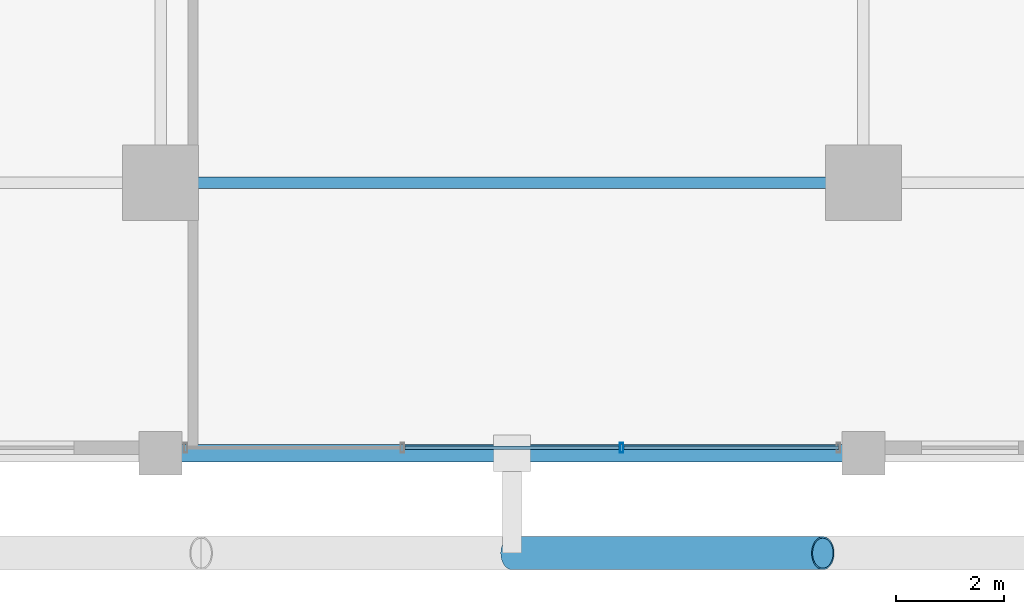
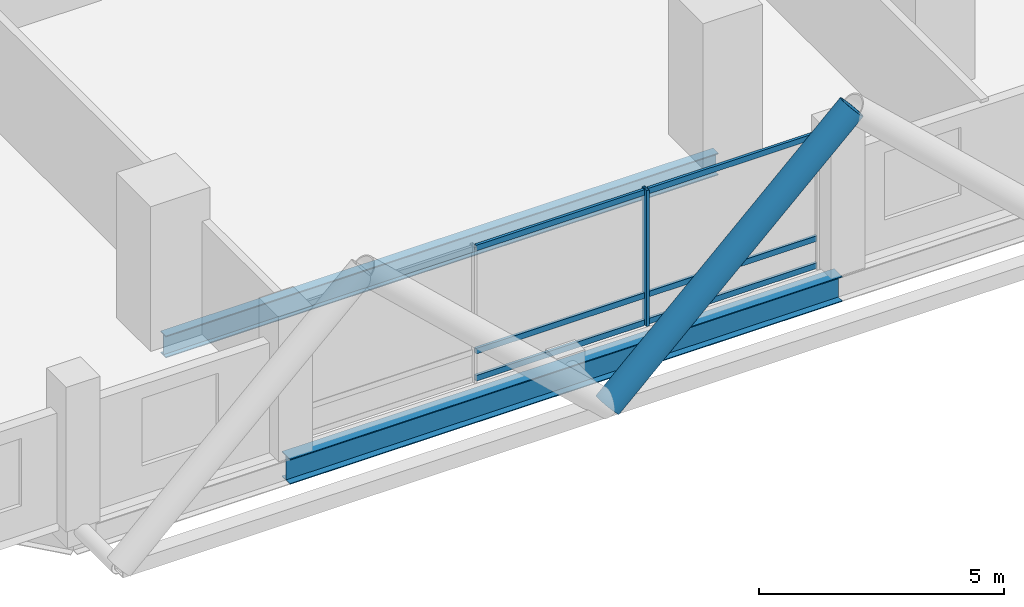
# One storey, part 3 of 27: 8 members, 2 beams, 1 element without a shape of its own.
"""IFC4 building model written with IfcOpenShell, lengths in metres."""

from ifc_helpers import new_model, si_unit, direction, frame, origin, origin_2d, place, context, subcontext, project, spatial, hollow_rectangle, hollow_circle, i_section, extrude, material, layer, layer_set, material_profile, profile_set, type_object, element, aggregate, save


model = new_model("IFC4")

# Units and contexts
model_context = context("Model", 3, precision=1e-05, world=origin(), true_north=direction((0.0, 1.0)))
body_context = subcontext(model_context, "Body", "Model", "MODEL_VIEW")
ifc_project = project(units=[si_unit("LENGTHUNIT", "METRE"), si_unit("AREAUNIT", "SQUARE_METRE"), si_unit("VOLUMEUNIT", "CUBIC_METRE"), si_unit("PLANEANGLEUNIT", "RADIAN"), si_unit("MASSUNIT", "GRAM", prefix="KILO")], contexts=[model_context])

# Site, building, storey
site_placement = place(None, origin())
site = spatial("IfcSite", under=ifc_project, at=site_placement, CompositionType="ELEMENT")
building_placement = place(site_placement, origin())
building = spatial("IfcBuilding", under=site, at=building_placement, Name="Barlavira Tower and Art Museum", CompositionType="ELEMENT")
storey_placement = place(building_placement, frame((0.0, 0.0, 61.199951171875)))
storey = spatial("IfcBuildingStorey", under=building, at=storey_placement, Name="L14", CompositionType="ELEMENT", Elevation=61.199951171875)

# Curtain wall, members
ifc_material_1 = material(Name="Low-iron coastal laminated glass", Category="glass")
ifc_layer = layer(ifc_material_1, 0.179931640625, Name="Low-iron coastal laminated glass")
ifc_layer_set = layer_set([ifc_layer], Name="Low-iron coastal laminated glass")
curtain_wall_type = type_object("IfcCurtainWallType", Name="Pale-Metal Unitised Curtain Wall Zone 1", PredefinedType="NOTDEFINED", material=ifc_layer_set)
curtain_wall_placement = place(storey_placement, origin())
curtain_wall = element("IfcCurtainWall", 1, at=curtain_wall_placement, inside=storey, type_object=curtain_wall_type, Name="L14 Curtain Wall CW1-L14-S-B3", PredefinedType="NOTDEFINED")
ifc_material_2 = material(Name="Pale anodised aluminium", Category="aluminium")
ifc_material_profile_1 = material_profile(ifc_material_2, hollow_rectangle(XDim=0.06494140625, YDim=0.179931640625, WallThickness=0.00390625, at=origin_2d()), Name="ALU-MULL 65x180x4")
ifc_profile_set_1 = profile_set([ifc_material_profile_1], Name="Pale anodised aluminium")
member_type_1 = type_object("IfcMemberType", Name="Curtain Wall Pale-Metal Mullion 65x180", PredefinedType="MULLION", material=ifc_profile_set_1)
member_1_placement = place(storey_placement, frame((2.026611328125, -24.89990234375, 0.0), z_axis=(0.0, 0.0, 1.0), x_axis=(1.0, 0.0, 0.0)))
member_1 = element("IfcMember", 2, at=member_1_placement, type_object=member_type_1, Name="CW1-L14-S-B3 Mullion 2", PredefinedType="MULLION", context=body_context, shape_type="SweptSolid", body=[
    extrude(hollow_rectangle(XDim=0.06494140625, YDim=0.179931640625, WallThickness=0.00390625, at=origin_2d()), origin(), (0.0, 0.0, 1.0), 3.380126953125),
])
ifc_material_profile_2 = material_profile(ifc_material_2, hollow_rectangle(XDim=0.06494140625, YDim=0.139892578125, WallThickness=0.00390625, at=origin_2d()), Name="ALU-TRAN 65x140x4")
ifc_profile_set_2 = profile_set([ifc_material_profile_2], Name="Pale anodised aluminium")
member_type_2 = type_object("IfcMemberType", Name="Curtain Wall Pale-Metal Transom 65x140", PredefinedType="USERDEFINED", material=ifc_profile_set_2)
member_2_placement = place(storey_placement, frame((-1.981689453125, -24.89990234375, 0.070068359375), z_axis=(1.0, 0.0, 0.0), x_axis=(0.0, 1.0, 0.0)))
member_2 = element("IfcMember", 3, at=member_2_placement, type_object=member_type_2, Name="CW1-L14-S-B3 Transom 1.1", ObjectType="TRANSOM", PredefinedType="USERDEFINED", context=body_context, shape_type="SweptSolid", body=[
    extrude(hollow_rectangle(XDim=0.06494140625, YDim=0.139892578125, WallThickness=0.00390625, at=origin_2d()), origin(), (0.0, 0.0, 1.0), 3.96337890625),
])
member_3_placement = place(storey_placement, frame((-1.981689453125, -24.89990234375, 0.744140625), z_axis=(1.0, 0.0, 0.0), x_axis=(0.0, 1.0, 0.0)))
member_3 = element("IfcMember", 4, at=member_3_placement, type_object=member_type_2, Name="CW1-L14-S-B3 Transom 1.2", ObjectType="TRANSOM", PredefinedType="USERDEFINED", context=body_context, shape_type="SweptSolid", body=[
    extrude(hollow_rectangle(XDim=0.06494140625, YDim=0.139892578125, WallThickness=0.00390625, at=origin_2d()), origin(), (0.0, 0.0, 1.0), 3.96337890625),
])
member_4_placement = place(storey_placement, frame((-1.981689453125, -24.89990234375, 3.31005859375), z_axis=(1.0, 0.0, 0.0), x_axis=(0.0, 1.0, 0.0)))
member_4 = element("IfcMember", 5, at=member_4_placement, type_object=member_type_2, Name="CW1-L14-S-B3 Transom 1.3", ObjectType="TRANSOM", PredefinedType="USERDEFINED", context=body_context, shape_type="SweptSolid", body=[
    extrude(hollow_rectangle(XDim=0.06494140625, YDim=0.139892578125, WallThickness=0.00390625, at=origin_2d()), origin(), (0.0, 0.0, 1.0), 3.96337890625),
])
member_5_placement = place(storey_placement, frame((2.07177734375, -24.89990234375, 0.070068359375), z_axis=(1.0, 0.0, 0.0), x_axis=(0.0, 1.0, 0.0)))
member_5 = element("IfcMember", 6, at=member_5_placement, type_object=member_type_2, Name="CW1-L14-S-B3 Transom 2.1", ObjectType="TRANSOM", PredefinedType="USERDEFINED", context=body_context, shape_type="SweptSolid", body=[
    extrude(hollow_rectangle(XDim=0.06494140625, YDim=0.139892578125, WallThickness=0.00390625, at=origin_2d()), origin(), (0.0, 0.0, 1.0), 3.963134765625),
])
member_6_placement = place(storey_placement, frame((2.07177734375, -24.89990234375, 0.744140625), z_axis=(1.0, 0.0, 0.0), x_axis=(0.0, 1.0, 0.0)))
member_6 = element("IfcMember", 7, at=member_6_placement, type_object=member_type_2, Name="CW1-L14-S-B3 Transom 2.2", ObjectType="TRANSOM", PredefinedType="USERDEFINED", context=body_context, shape_type="SweptSolid", body=[
    extrude(hollow_rectangle(XDim=0.06494140625, YDim=0.139892578125, WallThickness=0.00390625, at=origin_2d()), origin(), (0.0, 0.0, 1.0), 3.963134765625),
])
member_7_placement = place(storey_placement, frame((2.07177734375, -24.89990234375, 3.31005859375), z_axis=(1.0, 0.0, 0.0), x_axis=(0.0, 1.0, 0.0)))
member_7 = element("IfcMember", 8, at=member_7_placement, type_object=member_type_2, Name="CW1-L14-S-B3 Transom 2.3", ObjectType="TRANSOM", PredefinedType="USERDEFINED", context=body_context, shape_type="SweptSolid", body=[
    extrude(hollow_rectangle(XDim=0.06494140625, YDim=0.139892578125, WallThickness=0.00390625, at=origin_2d()), origin(), (0.0, 0.0, 1.0), 3.963134765625),
])
aggregate(curtain_wall, [member_1, member_2, member_3, member_4, member_5, member_6, member_7])

# Member
ifc_material_3 = material(Name="Steel S355", Category="steel")
ifc_material_profile_3 = material_profile(ifc_material_3, hollow_circle(Radius=0.304931640625, WallThickness=0.028076171875, at=origin_2d()), Name="CHS 610.0x28.0")
ifc_profile_set_3 = profile_set([ifc_material_profile_3], Name="Steel S355")
member_type_3 = type_object("IfcMemberType", Name="Pale-Metal Exoskeleton Diagrid Tube CHS 610x28 Steel S355", PredefinedType="BRACE", material=ifc_profile_set_3)
member_8_placement = place(storey_placement, frame((0.0, -26.85009765625, -0.119873046875), z_axis=(0.728950095515, 0.0, 0.684566839869), x_axis=(0.0, 1.0, 0.0)))
element("IfcMember", 9, at=member_8_placement, inside=storey, type_object=member_type_3, Name="L14 Exoskeleton Diagrid Tube S", PredefinedType="BRACE", context=body_context, shape_type="SweptSolid", body=[
    extrude(hollow_circle(Radius=0.304931640625, WallThickness=0.028076171875, at=origin_2d()), origin(), (0.0, 0.0, 1.0), 7.887939453125),
])

# Beams
ifc_material_profile_4 = material_profile(ifc_material_3, i_section(OverallWidth=0.327880859375, OverallDepth=0.62890625, WebThickness=0.013916015625, FlangeThickness=0.021484375, at=origin_2d()), Name="W610x174.0")
ifc_profile_set_4 = profile_set([ifc_material_profile_4], Name="Steel S355")
beam_type_1 = type_object("IfcBeamType", Name="Perimeter Spandrel Edge Beam W610x174 Steel S355", PredefinedType="SPANDREL", material=ifc_profile_set_4)
beam_1_placement = place(storey_placement, frame((-6.5, -25.0, -0.534423828125), z_axis=(1.0, 0.0, 0.0), x_axis=(0.0, 1.0, 0.0)))
element("IfcBeam", 10, at=beam_1_placement, inside=storey, type_object=beam_type_1, Name="L14 Spandrel 2", PredefinedType="SPANDREL", context=body_context, shape_type="SweptSolid", body=[
    extrude(i_section(OverallWidth=0.327880859375, OverallDepth=0.62890625, WebThickness=0.013916015625, FlangeThickness=0.021484375, at=origin_2d()), origin(), (0.0, 0.0, 1.0), 13.0),
])
ifc_material_profile_5 = material_profile(ifc_material_3, i_section(OverallWidth=0.214111328125, OverallDepth=0.549072265625, WebThickness=0.0146484375, FlangeThickness=0.023681640625, at=origin_2d()), Name="W530x138.0")
ifc_profile_set_5 = profile_set([ifc_material_profile_5], Name="Steel S355")
beam_type_2 = type_object("IfcBeamType", Name="Zone 1 Primary Floor Girder W530x138 Steel S355", PredefinedType="BEAM", material=ifc_profile_set_5)
beam_2_placement = place(storey_placement, frame((-6.5, -20.0, -0.494384765625), z_axis=(1.0, 0.0, 0.0), x_axis=(0.0, 1.0, 0.0)))
element("IfcBeam", 11, at=beam_2_placement, inside=storey, type_object=beam_type_2, Name="L14 Girder M-S2", PredefinedType="BEAM", context=body_context, shape_type="SweptSolid", body=[
    extrude(i_section(OverallWidth=0.214111328125, OverallDepth=0.549072265625, WebThickness=0.0146484375, FlangeThickness=0.023681640625, at=origin_2d()), origin(), (0.0, 0.0, 1.0), 13.0),
])

save(model, "model.ifc")
